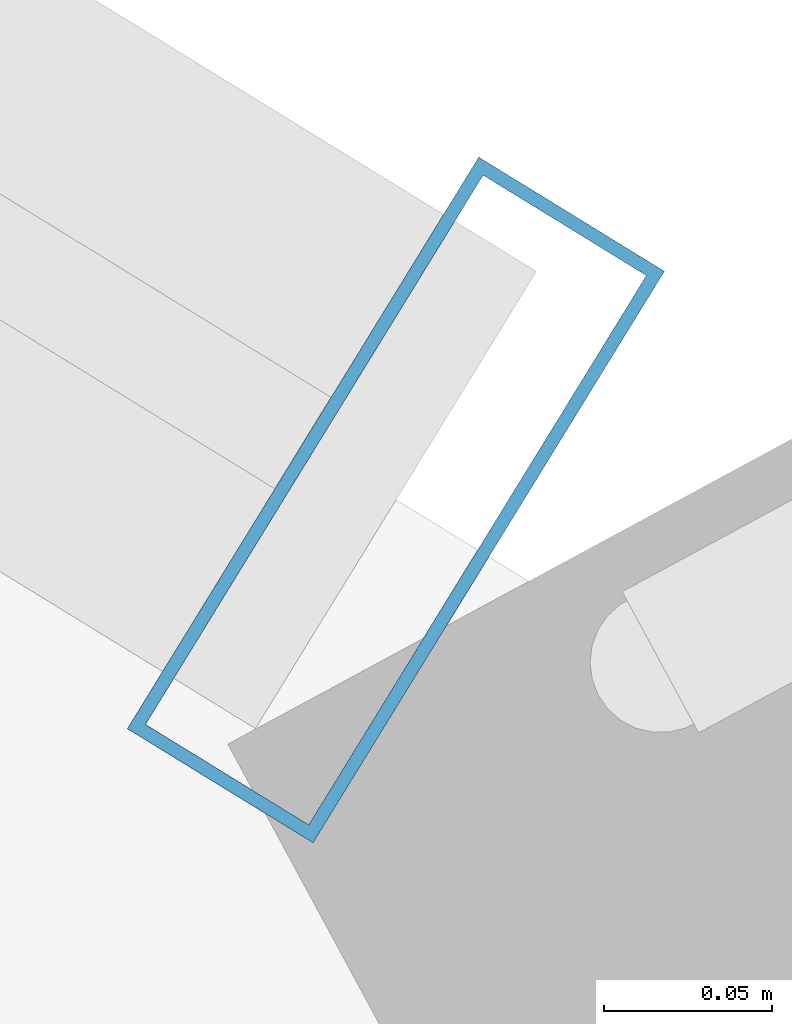
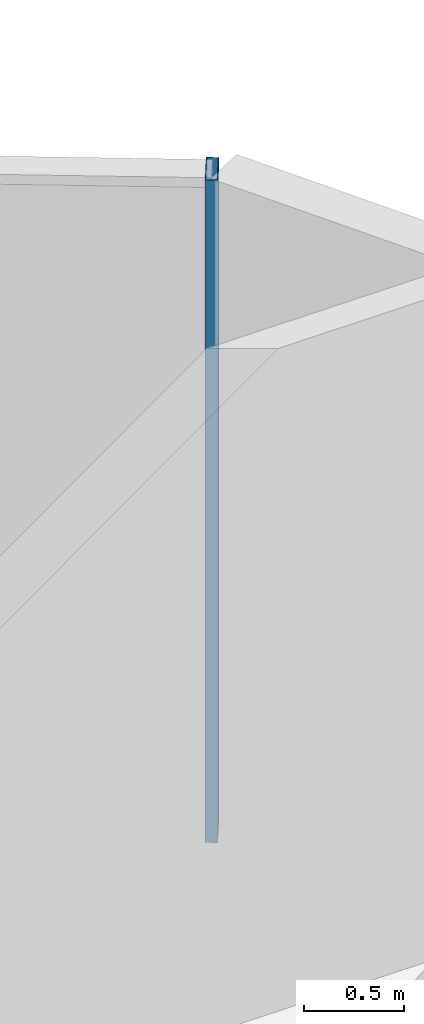
# One storey, part 13 of 22: 1 member, 1 element without a shape of its own.
"""IFC4 building model written with IfcOpenShell, lengths in metres."""

from ifc_helpers import new_model, si_unit, direction, frame, origin, origin_2d, place, context, subcontext, project, spatial, hollow_rectangle, extrude, source, transform, mapped, material, layer, layer_set, material_profile, profile_set, type_object, element, aggregate, save


model = new_model("IFC4")

# Units and contexts
model_context = context("Model", 3, precision=1e-05, world=origin(), true_north=direction((0.0, 1.0)))
body_context = subcontext(model_context, "Body", "Model", "MODEL_VIEW")
ifc_project = project(units=[si_unit("LENGTHUNIT", "METRE"), si_unit("AREAUNIT", "SQUARE_METRE"), si_unit("VOLUMEUNIT", "CUBIC_METRE"), si_unit("PLANEANGLEUNIT", "RADIAN"), si_unit("MASSUNIT", "GRAM", prefix="KILO")], contexts=[model_context])

# Site, building, storey
site_placement = place(None, origin())
site = spatial("IfcSite", under=ifc_project, at=site_placement, CompositionType="ELEMENT")
building_placement = place(site_placement, origin())
building = spatial("IfcBuilding", under=site, at=building_placement, Name="Veraguas Prism Commons", CompositionType="ELEMENT")
storey_placement = place(building_placement, frame((0.0, 0.0, 211.35009765625)))
storey = spatial("IfcBuildingStorey", under=building, at=storey_placement, Name="L60", CompositionType="ELEMENT", Elevation=211.35009765625)

# Curtain wall, member
ifc_material = material(Name="Anodised aluminium EN AW-6063 T6", Category="aluminium")
ifc_layer = layer(ifc_material, 0.199951171875, Name="Sky Lobby and Pool Acoustic Curtain Wall", Category="aluminium")
ifc_layer_set = layer_set([ifc_layer], Name="Anodised aluminium EN AW-6063 T6")
curtain_wall_type = type_object("IfcCurtainWallType", Name="Sky Lobby and Pool Acoustic Curtain Wall", PredefinedType="NOTDEFINED", material=ifc_layer_set)
curtain_wall_placement = place(storey_placement, origin())
curtain_wall = element("IfcCurtainWall", 1, at=curtain_wall_placement, inside=storey, type_object=curtain_wall_type, Name="Tower Facade Curtain Wall L60-F1", PredefinedType="NOTDEFINED")
ifc_material_profile = material_profile(ifc_material, hollow_rectangle(XDim=0.06494140625, YDim=0.199951171875, WallThickness=0.00390625, at=origin_2d()), Name="AL65X200X4")
ifc_profile_set = profile_set([ifc_material_profile], Name="Anodised aluminium EN AW-6063 T6")
member_type = type_object("IfcMemberType", Name="Curtain Wall Mullion Heavy AL 65x200x4", PredefinedType="MULLION", material=ifc_profile_set)
shared_shape = source(origin(), body_context, "Body", "SweptSolid", [
    extrude(hollow_rectangle(XDim=0.06494140625, YDim=0.199951171875, WallThickness=0.00390625, at=origin_2d()), origin(), (0.0, 0.0, 1.0), 4.06494140625),
])
member_placement = place(storey_placement, frame((40.020751953125, 34.9404296875, 0.0), z_axis=(0.0, 0.0, 1.0), x_axis=(-0.851908873825, 0.523690052129, 0.0)))
member = element("IfcMember", 2, at=member_placement, type_object=member_type, Name="CW-SKY Mullion 1", PredefinedType="MULLION", context=body_context, shape_type="MappedRepresentation", body=[
    mapped(shared_shape, transform((0.0, 0.0, 0.0), scale=1.0)),
])
aggregate(curtain_wall, [member])

save(model, "model.ifc")
